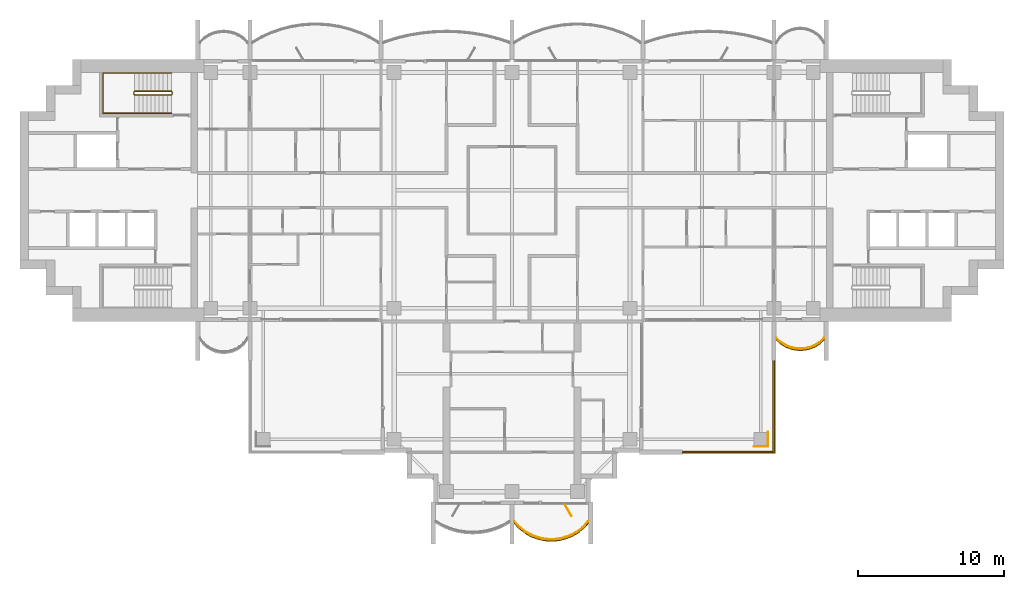
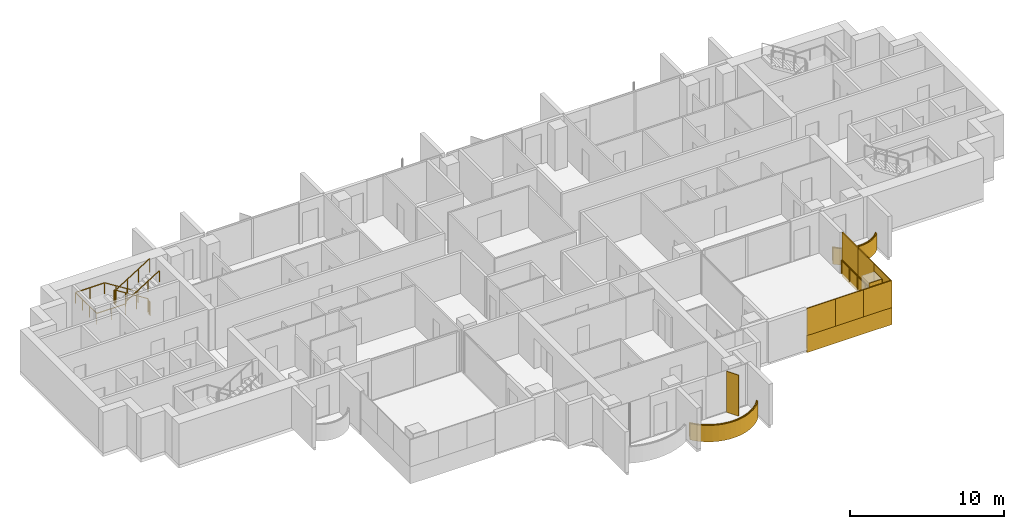
# One storey, part 15 of 17: 11 coverings, 5 railings, 1 shading device.
"""IFC4 building model written with IfcOpenShell, lengths in metres."""

from ifc_helpers import new_model, si_unit, direction, frame, origin, origin_2d, place, context, subcontext, project, spatial, polyline, rectangle, outline, extrude, material, layer, layer_set, type_object, element, save


model = new_model("IFC4")

# Units and contexts
model_context = context("Model", 3, precision=1e-05, world=origin(), true_north=direction((0.0, 1.0)))
body_context = subcontext(model_context, "Body", "Model", "MODEL_VIEW")
ifc_project = project(units=[si_unit("LENGTHUNIT", "METRE"), si_unit("AREAUNIT", "SQUARE_METRE"), si_unit("VOLUMEUNIT", "CUBIC_METRE"), si_unit("PLANEANGLEUNIT", "RADIAN"), si_unit("MASSUNIT", "GRAM", prefix="KILO")], contexts=[model_context])

# Site, building, storey
site_placement = place(None, origin())
site = spatial("IfcSite", under=ifc_project, at=site_placement, CompositionType="ELEMENT")
building_placement = place(site_placement, origin())
building = spatial("IfcBuilding", under=site, at=building_placement, Name="Perihelion Cross Residences", CompositionType="ELEMENT")
storey_placement = place(building_placement, frame((0.0, 0.0, 201.60009765625)))
storey = spatial("IfcBuildingStorey", under=building, at=storey_placement, Name="L50", CompositionType="ELEMENT", Elevation=201.60009765625)

# Coverings
ifc_material_1 = material(Name="Bronze anodised aluminium", Category="aluminium")
ifc_layer_1 = layer(ifc_material_1, 0.070068359375)
ifc_layer_set_1 = layer_set([ifc_layer_1], Name="Balcony fascia 1300")
covering_type_1 = type_object("IfcCoveringType", Name="Balcony fascia 1300", PredefinedType="CLADDING", material=ifc_layer_set_1)
covering_1_placement = place(storey_placement, frame((0.0, 0.0, -0.2001953125)))
element("IfcCovering", 1, at=covering_1_placement, inside=storey, type_object=covering_type_1, Name="Fascia BF1 L50 south tip south bay 2", PredefinedType="CLADDING", context=body_context, shape_type="SweptSolid", body=[
    extrude(outline(polyline([(0.4951171875, -23.27392578125), (0.89599609375, -23.58251953125), (1.296875, -23.806396484375), (1.69775390625, -23.9638671875), (2.0986328125, -24.064697265625), (2.49951171875, -24.114013671875), (2.900390625, -24.114013671875), (3.30126953125, -24.064697265625), (3.7021484375, -23.9638671875), (4.10302734375, -23.806396484375), (4.50390625, -23.58251953125), (4.90478515625, -23.27392578125), (5.25, -22.90283203125), (5.25, -22.800048828125), (4.857666015625, -23.22216796875), (4.46533203125, -23.524169921875), (4.072998046875, -23.7431640625), (3.6806640625, -23.897216796875), (3.28857421875, -23.995849609375), (2.896240234375, -24.0439453125), (2.50390625, -24.0439453125), (2.111572265625, -23.995849609375), (1.71923828125, -23.897216796875), (1.326904296875, -23.7431640625), (0.9345703125, -23.524169921875), (0.542236328125, -23.22216796875), (0.14990234375, -22.800048828125), (0.14990234375, -22.90283203125), (0.4951171875, -23.27392578125)])), origin(), (0.0, 0.0, 1.0), 1.300048828125),
])
covering_2_placement = place(storey_placement, frame((0.0, 0.0, -0.2001953125)))
element("IfcCovering", 2, at=covering_2_placement, inside=storey, type_object=covering_type_1, Name="Fascia BF1 L50 east side south bay 2", PredefinedType="CLADDING", context=body_context, shape_type="SweptSolid", body=[
    extrude(outline(polyline([(18.4375, -10.56298828125), (18.778076171875, -10.77587890625), (19.11865234375, -10.914794921875), (19.45947265625, -10.994140625), (19.800048828125, -11.02001953125), (20.140625, -10.994140625), (20.481201171875, -10.914794921875), (20.82177734375, -10.77587890625), (21.16259765625, -10.56298828125), (21.449951171875, -10.295654296875), (21.449951171875, -10.199951171875), (21.1201171875, -10.507568359375), (20.7900390625, -10.71337890625), (20.4599609375, -10.84814453125), (20.1298828125, -10.925048828125), (19.800048828125, -10.949951171875), (19.469970703125, -10.925048828125), (19.139892578125, -10.84814453125), (18.81005859375, -10.71337890625), (18.47998046875, -10.507568359375), (18.14990234375, -10.199951171875), (18.14990234375, -10.295654296875), (18.4375, -10.56298828125)])), origin(), (0.0, 0.0, 1.0), 1.300048828125),
])

# Railings
ifc_material_2 = material(Name="Bronze anodised aluminium", Category="aluminium")
railing_type_1 = type_object("IfcRailingType", Name="Balcony guard 1100", PredefinedType="GUARDRAIL", material=ifc_material_2)
railing_1_placement = place(storey_placement, frame((0.175048828125, -22.739990234375, 0.0)))
element("IfcRailing", 3, at=railing_1_placement, inside=storey, type_object=railing_type_1, Name="Guard GU1 L50 south tip south bay 2 balcony", PredefinedType="GUARDRAIL", context=body_context, shape_type="SweptSolid", body=[
    extrude(rectangle(XDim=0.048095703125, YDim=0.048095703125, at=origin_2d()), frame((0.0, 0.0, 1.076171875), z_axis=(0.656308349551, -0.754492776844, 0.0), x_axis=(0.754492776844, 0.656308349551, 0.0)), (0.0, 0.0, 1.0), 0.5595703125),
    extrude(rectangle(XDim=0.048095703125, YDim=0.048095703125, at=origin_2d()), frame((0.3671875, -0.422119140625, 1.076171875), z_axis=(0.792422303655, -0.609972862241, 0.0), x_axis=(0.609972862241, 0.792422303655, 0.0)), (0.0, 0.0, 1.0), 0.4951171875),
    extrude(rectangle(XDim=0.048095703125, YDim=0.048095703125, at=origin_2d()), frame((0.759521484375, -0.72412109375, 1.076171875), z_axis=(0.873181568748, -0.487395063576, 0.0), x_axis=(0.487395063576, 0.873181568748, 0.0)), (0.0, 0.0, 1.0), 0.44921875),
    extrude(rectangle(XDim=0.048095703125, YDim=0.048095703125, at=origin_2d()), frame((1.15185546875, -0.943115234375, 1.076171875), z_axis=(0.930617693705, -0.365992770642, 0.0), x_axis=(0.365992770642, 0.930617693705, 0.0)), (0.0, 0.0, 1.0), 0.421630859375),
    extrude(rectangle(XDim=0.048095703125, YDim=0.048095703125, at=origin_2d()), frame((1.544189453125, -1.097412109375, 1.076171875), z_axis=(0.969964714601, -0.243245662716, 0.0), x_axis=(0.243245662716, 0.969964714601, 0.0)), (0.0, 0.0, 1.0), 0.404541015625),
    extrude(rectangle(XDim=0.048095703125, YDim=0.048095703125, at=origin_2d()), frame((1.9365234375, -1.19580078125, 1.076171875), z_axis=(0.992494874491, -0.122286238425, 0.0), x_axis=(0.122286238425, 0.992494874491, 0.0)), (0.0, 0.0, 1.0), 0.395263671875),
    extrude(rectangle(XDim=0.048095703125, YDim=0.048095703125, at=origin_2d()), frame((2.328857421875, -1.244140625, 1.076171875), z_axis=(1.0, 0.0, 0.0), x_axis=(0.0, 1.0, 0.0)), (0.0, 0.0, 1.0), 0.392333984375),
    extrude(rectangle(XDim=0.048095703125, YDim=0.048095703125, at=origin_2d()), frame((2.72119140625, -1.244140625, 1.076171875), z_axis=(0.992494874491, 0.122286238425, 0.0), x_axis=(-0.122286238425, 0.992494874491, 0.0)), (0.0, 0.0, 1.0), 0.395263671875),
    extrude(rectangle(XDim=0.048095703125, YDim=0.048095703125, at=origin_2d()), frame((3.113525390625, -1.19580078125, 1.076171875), z_axis=(0.96992896989, 0.243388153715, 0.0), x_axis=(-0.243388153715, 0.96992896989, 0.0)), (0.0, 0.0, 1.0), 0.404296875),
    extrude(rectangle(XDim=0.048095703125, YDim=0.048095703125, at=origin_2d()), frame((3.505615234375, -1.097412109375, 1.076171875), z_axis=(0.930617693705, 0.365992770642, 0.0), x_axis=(-0.365992770642, 0.930617693705, 0.0)), (0.0, 0.0, 1.0), 0.421630859375),
    extrude(rectangle(XDim=0.048095703125, YDim=0.048095703125, at=origin_2d()), frame((3.89794921875, -0.943115234375, 1.076171875), z_axis=(0.873181568748, 0.487395063576, 0.0), x_axis=(-0.487395063576, 0.873181568748, 0.0)), (0.0, 0.0, 1.0), 0.44921875),
    extrude(rectangle(XDim=0.048095703125, YDim=0.048095703125, at=origin_2d()), frame((4.290283203125, -0.72412109375, 1.076171875), z_axis=(0.792422303655, 0.609972862241, 0.0), x_axis=(-0.609972862241, 0.792422303655, 0.0)), (0.0, 0.0, 1.0), 0.4951171875),
    extrude(rectangle(XDim=0.048095703125, YDim=0.048095703125, at=origin_2d()), frame((4.6826171875, -0.422119140625, 1.076171875), z_axis=(0.656556653543, 0.754276713606, 0.0), x_axis=(-0.754276713606, 0.656556653543, 0.0)), (0.0, 0.0, 1.0), 0.5595703125),
    extrude(rectangle(XDim=0.0419921875, YDim=0.0419921875, at=origin_2d()), origin(), (0.0, 0.0, 1.0), 1.052001953125),
    extrude(rectangle(XDim=0.0419921875, YDim=0.0419921875, at=origin_2d()), frame((0.3671875, -0.422119140625, 0.0)), (0.0, 0.0, 1.0), 1.052001953125),
    extrude(rectangle(XDim=0.0419921875, YDim=0.0419921875, at=origin_2d()), frame((0.759521484375, -0.72412109375, 0.0)), (0.0, 0.0, 1.0), 1.052001953125),
    extrude(rectangle(XDim=0.0419921875, YDim=0.0419921875, at=origin_2d()), frame((1.15185546875, -0.943115234375, 0.0)), (0.0, 0.0, 1.0), 1.052001953125),
    extrude(rectangle(XDim=0.0419921875, YDim=0.0419921875, at=origin_2d()), frame((1.544189453125, -1.097412109375, 0.0)), (0.0, 0.0, 1.0), 1.052001953125),
    extrude(rectangle(XDim=0.0419921875, YDim=0.0419921875, at=origin_2d()), frame((1.9365234375, -1.19580078125, 0.0)), (0.0, 0.0, 1.0), 1.052001953125),
    extrude(rectangle(XDim=0.0419921875, YDim=0.0419921875, at=origin_2d()), frame((2.328857421875, -1.244140625, 0.0)), (0.0, 0.0, 1.0), 1.052001953125),
    extrude(rectangle(XDim=0.0419921875, YDim=0.0419921875, at=origin_2d()), frame((2.72119140625, -1.244140625, 0.0)), (0.0, 0.0, 1.0), 1.052001953125),
    extrude(rectangle(XDim=0.0419921875, YDim=0.0419921875, at=origin_2d()), frame((3.113525390625, -1.19580078125, 0.0)), (0.0, 0.0, 1.0), 1.052001953125),
    extrude(rectangle(XDim=0.0419921875, YDim=0.0419921875, at=origin_2d()), frame((3.505615234375, -1.097412109375, 0.0)), (0.0, 0.0, 1.0), 1.052001953125),
    extrude(rectangle(XDim=0.0419921875, YDim=0.0419921875, at=origin_2d()), frame((3.89794921875, -0.943115234375, 0.0)), (0.0, 0.0, 1.0), 1.052001953125),
    extrude(rectangle(XDim=0.0419921875, YDim=0.0419921875, at=origin_2d()), frame((4.290283203125, -0.72412109375, 0.0)), (0.0, 0.0, 1.0), 1.052001953125),
    extrude(rectangle(XDim=0.0419921875, YDim=0.0419921875, at=origin_2d()), frame((4.6826171875, -0.422119140625, 0.0)), (0.0, 0.0, 1.0), 1.052001953125),
    extrude(rectangle(XDim=0.0419921875, YDim=0.0419921875, at=origin_2d()), frame((5.050048828125, 0.0, 0.0)), (0.0, 0.0, 1.0), 1.052001953125),
])
railing_2_placement = place(storey_placement, frame((18.175048828125, -10.139892578125, 0.0)))
element("IfcRailing", 4, at=railing_2_placement, inside=storey, type_object=railing_type_1, Name="Guard GU1 L50 east side south bay 2 balcony", PredefinedType="GUARDRAIL", context=body_context, shape_type="SweptSolid", body=[
    extrude(rectangle(XDim=0.048095703125, YDim=0.048095703125, at=origin_2d()), frame((0.0, 0.0, 1.076171875), z_axis=(0.703999905859, -0.710200065158, 0.0), x_axis=(0.710200065158, 0.703999905859, 0.0)), (0.0, 0.0, 1.0), 0.43310546875),
    extrude(rectangle(XDim=0.048095703125, YDim=0.048095703125, at=origin_2d()), frame((0.304931640625, -0.3076171875, 1.076171875), z_axis=(0.848280173265, -0.529547682127, 0.0), x_axis=(0.529547682127, 0.848280173265, 0.0)), (0.0, 0.0, 1.0), 0.38916015625),
    extrude(rectangle(XDim=0.048095703125, YDim=0.048095703125, at=origin_2d()), frame((0.635009765625, -0.513671875, 1.076171875), z_axis=(0.925950379976, -0.377645195682, 0.0), x_axis=(0.377645195682, 0.925950379976, 0.0)), (0.0, 0.0, 1.0), 0.356201171875),
    extrude(rectangle(XDim=0.048095703125, YDim=0.048095703125, at=origin_2d()), frame((0.96484375, -0.648193359375, 1.076171875), z_axis=(0.97391554583, -0.226910796551, 0.0), x_axis=(0.226910796551, 0.97391554583, 0.0)), (0.0, 0.0, 1.0), 0.3388671875),
    extrude(rectangle(XDim=0.048095703125, YDim=0.048095703125, at=origin_2d()), frame((1.294921875, -0.72509765625, 1.076171875), z_axis=(0.997166208737, -0.075229995038, 0.0), x_axis=(0.075229995038, 0.997166208737, 0.0)), (0.0, 0.0, 1.0), 0.3310546875),
    extrude(rectangle(XDim=0.048095703125, YDim=0.048095703125, at=origin_2d()), frame((1.625, -0.75, 1.076171875), z_axis=(0.997162029931, 0.075285364214, 0.0), x_axis=(-0.075285364214, 0.997162029931, 0.0)), (0.0, 0.0, 1.0), 0.330810546875),
    extrude(rectangle(XDim=0.048095703125, YDim=0.048095703125, at=origin_2d()), frame((1.954833984375, -0.72509765625, 1.076171875), z_axis=(0.97391554583, 0.226910796551, 0.0), x_axis=(-0.226910796551, 0.97391554583, 0.0)), (0.0, 0.0, 1.0), 0.3388671875),
    extrude(rectangle(XDim=0.048095703125, YDim=0.048095703125, at=origin_2d()), frame((2.284912109375, -0.648193359375, 1.076171875), z_axis=(0.926048033295, 0.377405670374, 0.0), x_axis=(-0.377405670374, 0.926048033295, 0.0)), (0.0, 0.0, 1.0), 0.3564453125),
    extrude(rectangle(XDim=0.048095703125, YDim=0.048095703125, at=origin_2d()), frame((2.614990234375, -0.513671875, 1.076171875), z_axis=(0.848280173265, 0.529547682127, 0.0), x_axis=(-0.529547682127, 0.848280173265, 0.0)), (0.0, 0.0, 1.0), 0.38916015625),
    extrude(rectangle(XDim=0.048095703125, YDim=0.048095703125, at=origin_2d()), frame((2.945068359375, -0.3076171875, 1.076171875), z_axis=(0.703999905859, 0.710200065158, 0.0), x_axis=(-0.710200065158, 0.703999905859, 0.0)), (0.0, 0.0, 1.0), 0.43310546875),
    extrude(rectangle(XDim=0.0419921875, YDim=0.0419921875, at=origin_2d()), origin(), (0.0, 0.0, 1.0), 1.052001953125),
    extrude(rectangle(XDim=0.0419921875, YDim=0.0419921875, at=origin_2d()), frame((0.304931640625, -0.3076171875, 0.0)), (0.0, 0.0, 1.0), 1.052001953125),
    extrude(rectangle(XDim=0.0419921875, YDim=0.0419921875, at=origin_2d()), frame((0.635009765625, -0.513671875, 0.0)), (0.0, 0.0, 1.0), 1.052001953125),
    extrude(rectangle(XDim=0.0419921875, YDim=0.0419921875, at=origin_2d()), frame((0.96484375, -0.648193359375, 0.0)), (0.0, 0.0, 1.0), 1.052001953125),
    extrude(rectangle(XDim=0.0419921875, YDim=0.0419921875, at=origin_2d()), frame((1.294921875, -0.72509765625, 0.0)), (0.0, 0.0, 1.0), 1.052001953125),
    extrude(rectangle(XDim=0.0419921875, YDim=0.0419921875, at=origin_2d()), frame((1.625, -0.75, 0.0)), (0.0, 0.0, 1.0), 1.052001953125),
    extrude(rectangle(XDim=0.0419921875, YDim=0.0419921875, at=origin_2d()), frame((1.954833984375, -0.72509765625, 0.0)), (0.0, 0.0, 1.0), 1.052001953125),
    extrude(rectangle(XDim=0.0419921875, YDim=0.0419921875, at=origin_2d()), frame((2.284912109375, -0.648193359375, 0.0)), (0.0, 0.0, 1.0), 1.052001953125),
    extrude(rectangle(XDim=0.0419921875, YDim=0.0419921875, at=origin_2d()), frame((2.614990234375, -0.513671875, 0.0)), (0.0, 0.0, 1.0), 1.052001953125),
    extrude(rectangle(XDim=0.0419921875, YDim=0.0419921875, at=origin_2d()), frame((2.945068359375, -0.3076171875, 0.0)), (0.0, 0.0, 1.0), 1.052001953125),
    extrude(rectangle(XDim=0.0419921875, YDim=0.0419921875, at=origin_2d()), frame((3.25, 0.0, 0.0)), (0.0, 0.0, 1.0), 1.052001953125),
])
railing_3_placement = place(storey_placement, frame((17.93994140625, -11.739990234375, 0.0)))
element("IfcRailing", 5, at=railing_3_placement, inside=storey, type_object=railing_type_1, Name="Guard GU1 L50 pocket south-east 1", PredefinedType="GUARDRAIL", context=body_context, shape_type="SweptSolid", body=[
    extrude(rectangle(XDim=0.048095703125, YDim=0.048095703125, at=origin_2d()), frame((0.0, 0.0, 1.076171875), z_axis=(0.0, -1.0, 0.0), x_axis=(1.0, 0.0, 0.0)), (0.0, 0.0, 1.0), 6.199951171875),
    extrude(rectangle(XDim=0.048095703125, YDim=0.048095703125, at=origin_2d()), frame((0.0, -6.199951171875, 1.076171875), z_axis=(-1.0, 0.0, 0.0), x_axis=(0.0, -1.0, 0.0)), (0.0, 0.0, 1.0), 6.199951171875),
    extrude(rectangle(XDim=0.0419921875, YDim=0.0419921875, at=origin_2d()), origin(), (0.0, 0.0, 1.0), 1.052001953125),
    extrude(rectangle(XDim=0.0419921875, YDim=0.0419921875, at=origin_2d()), frame((0.0, -1.033203125, 0.0)), (0.0, 0.0, 1.0), 1.052001953125),
    extrude(rectangle(XDim=0.0419921875, YDim=0.0419921875, at=origin_2d()), frame((0.0, -2.066650390625, 0.0)), (0.0, 0.0, 1.0), 1.052001953125),
    extrude(rectangle(XDim=0.0419921875, YDim=0.0419921875, at=origin_2d()), frame((0.0, -3.10009765625, 0.0)), (0.0, 0.0, 1.0), 1.052001953125),
    extrude(rectangle(XDim=0.0419921875, YDim=0.0419921875, at=origin_2d()), frame((0.0, -4.13330078125, 0.0)), (0.0, 0.0, 1.0), 1.052001953125),
    extrude(rectangle(XDim=0.0419921875, YDim=0.0419921875, at=origin_2d()), frame((0.0, -5.16650390625, 0.0)), (0.0, 0.0, 1.0), 1.052001953125),
    extrude(rectangle(XDim=0.0419921875, YDim=0.0419921875, at=origin_2d()), frame((0.0, -6.199951171875, 0.0)), (0.0, 0.0, 1.0), 1.052001953125),
    extrude(rectangle(XDim=0.0419921875, YDim=0.0419921875, at=origin_2d()), frame((-1.033203125, -6.199951171875, 0.0)), (0.0, 0.0, 1.0), 1.052001953125),
    extrude(rectangle(XDim=0.0419921875, YDim=0.0419921875, at=origin_2d()), frame((-2.066650390625, -6.199951171875, 0.0)), (0.0, 0.0, 1.0), 1.052001953125),
    extrude(rectangle(XDim=0.0419921875, YDim=0.0419921875, at=origin_2d()), frame((-3.10009765625, -6.199951171875, 0.0)), (0.0, 0.0, 1.0), 1.052001953125),
    extrude(rectangle(XDim=0.0419921875, YDim=0.0419921875, at=origin_2d()), frame((-4.13330078125, -6.199951171875, 0.0)), (0.0, 0.0, 1.0), 1.052001953125),
    extrude(rectangle(XDim=0.0419921875, YDim=0.0419921875, at=origin_2d()), frame((-5.16650390625, -6.199951171875, 0.0)), (0.0, 0.0, 1.0), 1.052001953125),
    extrude(rectangle(XDim=0.0419921875, YDim=0.0419921875, at=origin_2d()), frame((-6.199951171875, -6.199951171875, 0.0)), (0.0, 0.0, 1.0), 1.052001953125),
])

# Coverings
ifc_material_3 = material(Name="Bronze anodised aluminium", Category="aluminium")
ifc_layer_2 = layer(ifc_material_3, 0.0400390625)
ifc_layer_set_2 = layer_set([ifc_layer_2], Name="Bronze column casing 40")
covering_type_2 = type_object("IfcCoveringType", Name="Bronze column casing 40", PredefinedType="CLADDING", material=ifc_layer_set_2)
covering_3_placement = place(storey_placement, frame((17.594970703125, -17.10009765625, -0.25), z_axis=(0.0, 0.0, 1.0), x_axis=(1.0, 0.0, 0.0)))
element("IfcCovering", 6, at=covering_3_placement, inside=storey, type_object=covering_type_2, Name="Cladding CC1 L50 casing east-west no. 2", PredefinedType="CLADDING", context=body_context, shape_type="SweptSolid", body=[
    extrude(rectangle(XDim=0.0400390625, YDim=1.030029296875, at=origin_2d()), origin(), (0.0, 0.0, 1.0), 3.5),
])
covering_4_placement = place(storey_placement, frame((17.10009765625, -17.594970703125, -0.25), z_axis=(0.0, 0.0, 1.0), x_axis=(1.0, 0.0, 0.0)))
element("IfcCovering", 7, at=covering_4_placement, inside=storey, type_object=covering_type_2, Name="Cladding CC1 L50 casing north-south no. 2", PredefinedType="CLADDING", context=body_context, shape_type="SweptSolid", body=[
    extrude(rectangle(XDim=0.949951171875, YDim=0.0400390625, at=origin_2d()), origin(), (0.0, 0.0, 1.0), 3.5),
])

# Shading device
ifc_material_4 = material(Name="Bronze anodised aluminium", Category="aluminium")
ifc_layer_3 = layer(ifc_material_4, 0.050048828125)
ifc_layer_set_3 = layer_set([ifc_layer_3], Name="Bronze fin 900")
shading_device_type = type_object("IfcShadingDeviceType", Name="Bronze fin 900", PredefinedType="USERDEFINED", material=ifc_layer_set_3)
shading_device_placement = place(storey_placement, frame((3.862548828125, -21.98974609375, 0.0), z_axis=(0.0, 0.0, 1.0), x_axis=(0.5, -0.866025403784, 0.0)))
element("IfcShadingDevice", 8, at=shading_device_placement, inside=storey, type_object=shading_device_type, Name="Fin FN1 L50 south tip south bay 2", ObjectType="FIN", PredefinedType="USERDEFINED", context=body_context, shape_type="SweptSolid", body=[
    extrude(rectangle(XDim=0.89990234375, YDim=0.050048828125, at=origin_2d()), origin(), (0.0, 0.0, 1.0), 3.25),
])

# Coverings
ifc_material_5 = material(Name="Bronze anodised aluminium", Category="aluminium")
ifc_layer_4 = layer(ifc_material_5, 0.070068359375)
ifc_layer_set_4 = layer_set([ifc_layer_4], Name="Pocket fascia 1350")
covering_type_3 = type_object("IfcCoveringType", Name="Pocket fascia 1350", PredefinedType="CLADDING", material=ifc_layer_set_4)
covering_5_placement = place(storey_placement, frame((0.0, 0.0, -0.25)))
element("IfcCovering", 9, at=covering_5_placement, inside=storey, type_object=covering_type_3, Name="Fascia BF2 L50 pocket south-east 3", PredefinedType="CLADDING", context=body_context, shape_type="SweptSolid", body=[
    extrude(outline(polyline([(18.070068359375, -18.070068359375), (18.070068359375, -11.699951171875), (18.0, -11.699951171875), (18.0, -18.0), (11.699951171875, -18.0), (11.699951171875, -18.070068359375), (18.070068359375, -18.070068359375)])), origin(), (0.0, 0.0, 1.0), 1.349853515625),
])
ifc_material_6 = material(Name="Bronze perforated aluminium", Category="aluminium")
ifc_layer_5 = layer(ifc_material_6, 0.070068359375)
ifc_layer_set_5 = layer_set([ifc_layer_5], Name="Pocket solar screen, bronze perforated")
covering_type_4 = type_object("IfcCoveringType", Name="Pocket solar screen, bronze perforated", PredefinedType="CLADDING", material=ifc_layer_set_5)
covering_6_placement = place(storey_placement, frame((0.0, 0.0, 1.099853515625)))
element("IfcCovering", 10, at=covering_6_placement, inside=storey, type_object=covering_type_4, Name="Solar screen PS1 L50 pocket south-east no. 1", PredefinedType="CLADDING", context=body_context, shape_type="SweptSolid", body=[
    extrude(outline(polyline([(18.070068359375, -18.0), (18.070068359375, -15.89990234375), (18.0, -15.89990234375), (18.0, -18.0), (18.070068359375, -18.0)])), origin(), (0.0, 0.0, 1.0), 2.150146484375),
])
covering_7_placement = place(storey_placement, frame((0.0, 0.0, 1.099853515625)))
element("IfcCovering", 11, at=covering_7_placement, inside=storey, type_object=covering_type_4, Name="Solar screen PS1 L50 pocket south-east no. 2", PredefinedType="CLADDING", context=body_context, shape_type="SweptSolid", body=[
    extrude(outline(polyline([(18.070068359375, -15.89990234375), (18.070068359375, -13.800048828125), (18.0, -13.800048828125), (18.0, -15.89990234375), (18.070068359375, -15.89990234375)])), origin(), (0.0, 0.0, 1.0), 2.150146484375),
])
covering_8_placement = place(storey_placement, frame((0.0, 0.0, 1.099853515625)))
element("IfcCovering", 12, at=covering_8_placement, inside=storey, type_object=covering_type_4, Name="Solar screen PS1 L50 pocket south-east no. 3", PredefinedType="CLADDING", context=body_context, shape_type="SweptSolid", body=[
    extrude(outline(polyline([(18.070068359375, -13.800048828125), (18.070068359375, -11.699951171875), (18.0, -11.699951171875), (18.0, -13.800048828125), (18.070068359375, -13.800048828125)])), origin(), (0.0, 0.0, 1.0), 2.150146484375),
])
covering_9_placement = place(storey_placement, frame((0.0, 0.0, 1.099853515625)))
element("IfcCovering", 13, at=covering_9_placement, inside=storey, type_object=covering_type_4, Name="Solar screen PS1 L50 pocket south-east no. 4", PredefinedType="CLADDING", context=body_context, shape_type="SweptSolid", body=[
    extrude(outline(polyline([(13.8232421875, -18.070068359375), (13.8232421875, -18.0), (11.699951171875, -18.0), (11.699951171875, -18.070068359375), (13.8232421875, -18.070068359375)])), origin(), (0.0, 0.0, 1.0), 2.150146484375),
])
covering_10_placement = place(storey_placement, frame((0.0, 0.0, 1.099853515625)))
element("IfcCovering", 14, at=covering_10_placement, inside=storey, type_object=covering_type_4, Name="Solar screen PS1 L50 pocket south-east no. 5", PredefinedType="CLADDING", context=body_context, shape_type="SweptSolid", body=[
    extrude(outline(polyline([(15.94677734375, -18.070068359375), (15.94677734375, -18.0), (13.8232421875, -18.0), (13.8232421875, -18.070068359375), (15.94677734375, -18.070068359375)])), origin(), (0.0, 0.0, 1.0), 2.150146484375),
])
covering_11_placement = place(storey_placement, frame((0.0, 0.0, 1.099853515625)))
element("IfcCovering", 15, at=covering_11_placement, inside=storey, type_object=covering_type_4, Name="Solar screen PS1 L50 pocket south-east no. 6", PredefinedType="CLADDING", context=body_context, shape_type="SweptSolid", body=[
    extrude(outline(polyline([(18.070068359375, -18.070068359375), (18.070068359375, -18.0), (15.94677734375, -18.0), (15.94677734375, -18.070068359375), (18.070068359375, -18.070068359375)])), origin(), (0.0, 0.0, 1.0), 2.150146484375),
])

# Railings
ifc_material_7 = material(Name="Stainless steel", Category="steel")
railing_type_2 = type_object("IfcRailingType", Name="Stair guard 1100", PredefinedType="GUARDRAIL", material=ifc_material_7)
railing_4_placement = place(storey_placement, frame((-23.35009765625, 6.60009765625, 0.0)))
element("IfcRailing", 16, at=railing_4_placement, inside=storey, type_object=railing_type_2, Name="L50 ST-W1 stair guard 1", PredefinedType="GUARDRAIL", context=body_context, shape_type="SweptSolid", body=[
    extrude(rectangle(XDim=0.048095703125, YDim=0.048095703125, at=origin_2d()), frame((0.0, 0.0, 1.076171875), z_axis=(0.0, 1.0, 0.0), x_axis=(-1.0, 0.0, 0.0)), (0.0, 0.0, 1.0), 0.14990234375),
    extrude(rectangle(XDim=0.048095703125, YDim=0.048095703125, at=origin_2d()), frame((0.0, 0.14990234375, 1.076171875), z_axis=(-0.264179342666, 0.265474339444, 0.927217692888), x_axis=(-0.708833529934, -0.705375805398, 0.0)), (0.0, 0.0, 1.0), 0.1884765625),
    extrude(rectangle(XDim=0.048095703125, YDim=0.048095703125, at=origin_2d()), frame((-0.0498046875, 0.199951171875, 1.2509765625), z_axis=(-0.847970611238, 0.0, 0.530043245855), x_axis=(0.0, -1.0, 0.0)), (0.0, 0.0, 1.0), 2.971923828125),
    extrude(rectangle(XDim=0.048095703125, YDim=0.048095703125, at=origin_2d()), frame((-2.56982421875, 0.199951171875, 2.826171875), z_axis=(-0.707106781187, -0.707106781187, 0.0), x_axis=(0.707106781187, -0.707106781187, 0.0)), (0.0, 0.0, 1.0), 0.07080078125),
    extrude(rectangle(XDim=0.048095703125, YDim=0.048095703125, at=origin_2d()), frame((-2.619873046875, 0.14990234375, 2.826171875), z_axis=(0.0, -1.0, 0.0), x_axis=(1.0, 0.0, 0.0)), (0.0, 0.0, 1.0), 0.14990234375),
    extrude(rectangle(XDim=0.048095703125, YDim=0.048095703125, at=origin_2d()), frame((-2.619873046875, 0.0, 2.826171875), z_axis=(0.265383341853, -0.265383341853, 0.926899867156), x_axis=(0.707106781187, 0.707106781187, 0.0)), (0.0, 0.0, 1.0), 0.1884765625),
    extrude(rectangle(XDim=0.048095703125, YDim=0.048095703125, at=origin_2d()), frame((-2.56982421875, -0.050048828125, 3.0009765625), z_axis=(0.847970611238, 0.0, 0.530043245855), x_axis=(0.0, 1.0, 0.0)), (0.0, 0.0, 1.0), 2.971923828125),
    extrude(rectangle(XDim=0.0419921875, YDim=0.0419921875, at=origin_2d()), origin(), (0.0, 0.0, 1.0), 1.052001953125),
    extrude(rectangle(XDim=0.0419921875, YDim=0.0419921875, at=origin_2d()), frame((0.0, 0.14990234375, 0.0)), (0.0, 0.0, 1.0), 1.052001953125),
    extrude(rectangle(XDim=0.0419921875, YDim=0.0419921875, at=origin_2d()), frame((-0.0498046875, 0.199951171875, 0.1748046875)), (0.0, 0.0, 1.0), 1.052001953125),
    extrude(rectangle(XDim=0.0419921875, YDim=0.0419921875, at=origin_2d()), frame((-0.889892578125, 0.199951171875, 0.699951171875)), (0.0, 0.0, 1.0), 1.052001953125),
    extrude(rectangle(XDim=0.0419921875, YDim=0.0419921875, at=origin_2d()), frame((-1.729736328125, 0.199951171875, 1.224853515625)), (0.0, 0.0, 1.0), 1.052001953125),
    extrude(rectangle(XDim=0.0419921875, YDim=0.0419921875, at=origin_2d()), frame((-2.56982421875, 0.199951171875, 1.75)), (0.0, 0.0, 1.0), 1.052001953125),
    extrude(rectangle(XDim=0.0419921875, YDim=0.0419921875, at=origin_2d()), frame((-2.619873046875, 0.14990234375, 1.75)), (0.0, 0.0, 1.0), 1.052001953125),
    extrude(rectangle(XDim=0.0419921875, YDim=0.0419921875, at=origin_2d()), frame((-2.619873046875, 0.0, 1.75)), (0.0, 0.0, 1.0), 1.052001953125),
    extrude(rectangle(XDim=0.0419921875, YDim=0.0419921875, at=origin_2d()), frame((-2.56982421875, -0.050048828125, 1.9248046875)), (0.0, 0.0, 1.0), 1.052001953125),
    extrude(rectangle(XDim=0.0419921875, YDim=0.0419921875, at=origin_2d()), frame((-1.729736328125, -0.050048828125, 2.449951171875)), (0.0, 0.0, 1.0), 1.052001953125),
    extrude(rectangle(XDim=0.0419921875, YDim=0.0419921875, at=origin_2d()), frame((-0.889892578125, -0.050048828125, 2.974853515625)), (0.0, 0.0, 1.0), 1.052001953125),
    extrude(rectangle(XDim=0.0419921875, YDim=0.0419921875, at=origin_2d()), frame((-0.0498046875, -0.050048828125, 3.5)), (0.0, 0.0, 1.0), 1.052001953125),
])
ifc_material_8 = material(Name="Stainless steel", Category="steel")
railing_type_3 = type_object("IfcRailingType", Name="Stair handrail 900", PredefinedType="HANDRAIL", material=ifc_material_8)
railing_5_placement = place(storey_placement, frame((-23.39990234375, 8.050048828125, 0.1748046875)))
element("IfcRailing", 17, at=railing_5_placement, inside=storey, type_object=railing_type_3, Name="L50 ST-W1 stair handrail 1", PredefinedType="HANDRAIL", context=body_context, shape_type="SweptSolid", body=[
    extrude(rectangle(XDim=0.048095703125, YDim=0.048095703125, at=origin_2d()), frame((0.0, 0.0, 0.8759765625), z_axis=(-0.847970611238, 0.0, 0.530043245855), x_axis=(0.0, -1.0, 0.0)), (0.0, 0.0, 1.0), 2.971923828125),
    extrude(rectangle(XDim=0.048095703125, YDim=0.048095703125, at=origin_2d()), frame((-2.52001953125, 0.0, 2.451171875), z_axis=(-1.0, 0.0, 0.0), x_axis=(0.0, -1.0, 0.0)), (0.0, 0.0, 1.0), 2.18017578125),
    extrude(rectangle(XDim=0.048095703125, YDim=0.048095703125, at=origin_2d()), frame((-4.7001953125, 0.0, 2.451171875), z_axis=(0.0, -1.0, 0.0), x_axis=(1.0, 0.0, 0.0)), (0.0, 0.0, 1.0), 2.75),
    extrude(rectangle(XDim=0.048095703125, YDim=0.048095703125, at=origin_2d()), frame((-4.7001953125, -2.75, 2.451171875), z_axis=(1.0, 0.0, 0.0), x_axis=(0.0, 1.0, 0.0)), (0.0, 0.0, 1.0), 2.18017578125),
    extrude(rectangle(XDim=0.048095703125, YDim=0.048095703125, at=origin_2d()), frame((-2.52001953125, -2.75, 2.451171875), z_axis=(0.0, 0.0, 1.0), x_axis=(1.0, 0.0, 0.0)), (0.0, 0.0, 1.0), 0.1748046875),
    extrude(rectangle(XDim=0.048095703125, YDim=0.048095703125, at=origin_2d()), frame((-2.52001953125, -2.75, 2.6259765625), z_axis=(0.847970611238, 0.0, 0.530043245855), x_axis=(0.0, 1.0, 0.0)), (0.0, 0.0, 1.0), 2.971923828125),
    extrude(rectangle(XDim=0.0419921875, YDim=0.0419921875, at=origin_2d()), origin(), (0.0, 0.0, 1.0), 0.851806640625),
    extrude(rectangle(XDim=0.0419921875, YDim=0.0419921875, at=origin_2d()), frame((-0.840087890625, 0.0, 0.525146484375)), (0.0, 0.0, 1.0), 0.851806640625),
    extrude(rectangle(XDim=0.0419921875, YDim=0.0419921875, at=origin_2d()), frame((-1.679931640625, 0.0, 1.050048828125)), (0.0, 0.0, 1.0), 0.851806640625),
    extrude(rectangle(XDim=0.0419921875, YDim=0.0419921875, at=origin_2d()), frame((-2.52001953125, 0.0, 1.5751953125)), (0.0, 0.0, 1.0), 0.851806640625),
    extrude(rectangle(XDim=0.0419921875, YDim=0.0419921875, at=origin_2d()), frame((-3.610107421875, 0.0, 1.5751953125)), (0.0, 0.0, 1.0), 0.851806640625),
    extrude(rectangle(XDim=0.0419921875, YDim=0.0419921875, at=origin_2d()), frame((-4.7001953125, 0.0, 1.5751953125)), (0.0, 0.0, 1.0), 0.851806640625),
    extrude(rectangle(XDim=0.0419921875, YDim=0.0419921875, at=origin_2d()), frame((-4.7001953125, -0.916748046875, 1.5751953125)), (0.0, 0.0, 1.0), 0.851806640625),
    extrude(rectangle(XDim=0.0419921875, YDim=0.0419921875, at=origin_2d()), frame((-4.7001953125, -1.833251953125, 1.5751953125)), (0.0, 0.0, 1.0), 0.851806640625),
    extrude(rectangle(XDim=0.0419921875, YDim=0.0419921875, at=origin_2d()), frame((-4.7001953125, -2.75, 1.5751953125)), (0.0, 0.0, 1.0), 0.851806640625),
    extrude(rectangle(XDim=0.0419921875, YDim=0.0419921875, at=origin_2d()), frame((-3.610107421875, -2.75, 1.5751953125)), (0.0, 0.0, 1.0), 0.851806640625),
    extrude(rectangle(XDim=0.0419921875, YDim=0.0419921875, at=origin_2d()), frame((-2.52001953125, -2.75, 1.5751953125)), (0.0, 0.0, 1.0), 0.851806640625),
    extrude(rectangle(XDim=0.0419921875, YDim=0.0419921875, at=origin_2d()), frame((-2.52001953125, -2.75, 1.75)), (0.0, 0.0, 1.0), 0.851806640625),
    extrude(rectangle(XDim=0.0419921875, YDim=0.0419921875, at=origin_2d()), frame((-1.679931640625, -2.75, 2.275146484375)), (0.0, 0.0, 1.0), 0.851806640625),
    extrude(rectangle(XDim=0.0419921875, YDim=0.0419921875, at=origin_2d()), frame((-0.840087890625, -2.75, 2.800048828125)), (0.0, 0.0, 1.0), 0.851806640625),
    extrude(rectangle(XDim=0.0419921875, YDim=0.0419921875, at=origin_2d()), frame((0.0, -2.75, 3.3251953125)), (0.0, 0.0, 1.0), 0.851806640625),
])

save(model, "model.ifc")
